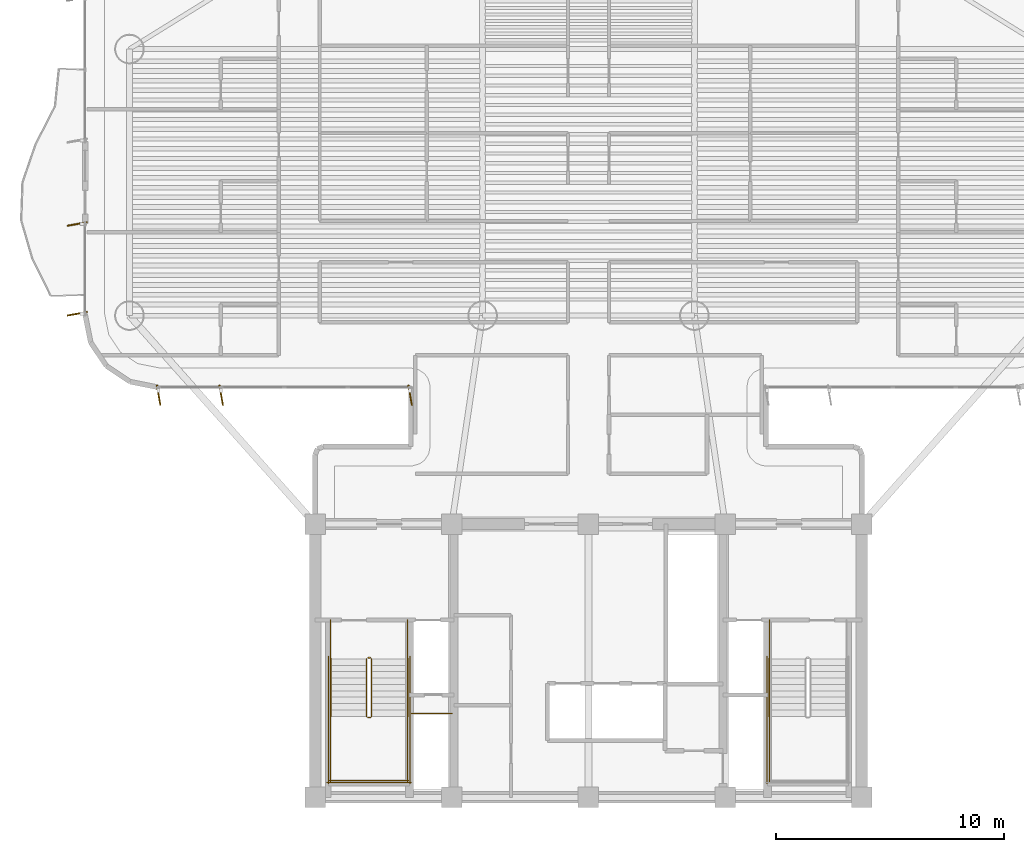
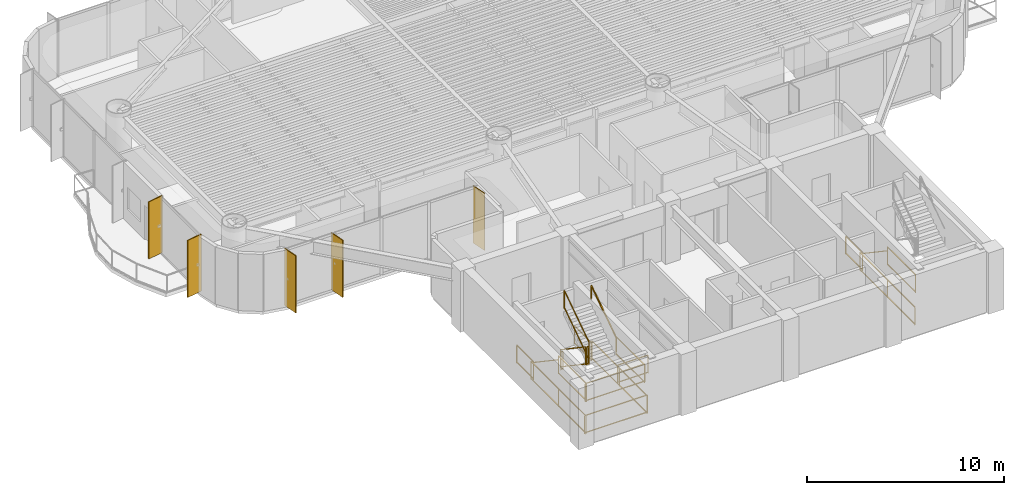
# One storey, part 14 of 17: 19 railings, 5 shading devices.
"""IFC4 building model written with IfcOpenShell, lengths in metres."""

from ifc_helpers import new_model, si_unit, direction, frame, origin, origin_2d, place, context, subcontext, project, spatial, rectangle, extrude, source, transform, mapped, material, layer, layer_set, material_profile, profile_set, type_object, element, save


model = new_model("IFC4")

# Units and contexts
model_context = context("Model", 3, precision=1e-05, world=origin(), true_north=direction((0.0, 1.0)))
body_context = subcontext(model_context, "Body", "Model", "MODEL_VIEW")
ifc_project = project(units=[si_unit("LENGTHUNIT", "METRE"), si_unit("AREAUNIT", "SQUARE_METRE"), si_unit("VOLUMEUNIT", "CUBIC_METRE"), si_unit("PLANEANGLEUNIT", "RADIAN"), si_unit("MASSUNIT", "GRAM", prefix="KILO")], contexts=[model_context])

# Site, building, storey
site_placement = place(None, origin())
site = spatial("IfcSite", under=ifc_project, at=site_placement, CompositionType="ELEMENT")
building_placement = place(site_placement, origin())
building = spatial("IfcBuilding", under=site, at=building_placement, Name="Brelvock Crest Care Tower", CompositionType="ELEMENT")
storey_placement = place(building_placement, frame((0.0, 0.0, 135.179931640625)))
storey = spatial("IfcBuildingStorey", under=building, at=storey_placement, Name="L34", CompositionType="ELEMENT", Elevation=135.179931640625)

# Railings
ifc_material_1 = material(Name="Steel Grade 350", Category="steel")
ifc_layer_1 = layer(ifc_material_1, 0.050048828125, Name="RL-STG1")
ifc_layer_set_1 = layer_set([ifc_layer_1], Name="Steel Grade 350")
railing_type_1 = type_object("IfcRailingType", Name="RL-STG1", PredefinedType="GUARDRAIL", material=ifc_layer_set_1)
railing_1_placement = place(storey_placement, frame((26.260009765625, 12.080078125, 0.18896484375)))
element("IfcRailing", 1, at=railing_1_placement, inside=storey, type_object=railing_type_1, Name="L34 ST-1 stair guard 1", PredefinedType="GUARDRAIL", context=body_context, shape_type="SweptSolid", body=[
    extrude(rectangle(XDim=0.048095703125, YDim=0.048095703125, at=origin_2d()), frame((0.0, -0.001708984375, 1.116943359375), z_axis=(0.0, -0.82882447046, 0.559508710537), x_axis=(1.0, 0.0, 0.0)), (0.0, 0.0, 1.0), 3.036376953125),
    extrude(rectangle(XDim=0.048095703125, YDim=0.048095703125, at=origin_2d()), frame((0.0, -0.001708984375, 0.05615234375), z_axis=(0.0, -0.82882447046, 0.559508710537), x_axis=(1.0, 0.0, 0.0)), (0.0, 0.0, 1.0), 3.036376953125),
    extrude(rectangle(XDim=0.0419921875, YDim=0.0419921875, at=origin_2d()), origin(), (0.0, 0.0, 1.0), 1.08984375),
    extrude(rectangle(XDim=0.0419921875, YDim=0.0419921875, at=origin_2d()), frame((0.0, -2.52001953125, 1.701171875)), (0.0, 0.0, 1.0), 1.08984375),
])
railing_2_placement = place(storey_placement, frame((26.31005859375, 9.510009765625, 1.89013671875)))
element("IfcRailing", 2, at=railing_2_placement, inside=storey, type_object=railing_type_1, Name="L34 ST-1 stair guard 2", PredefinedType="GUARDRAIL", context=body_context, shape_type="SweptSolid", body=[
    extrude(rectangle(XDim=0.048095703125, YDim=0.048095703125, at=origin_2d()), frame((0.001953125, 0.0, 1.11572265625), z_axis=(1.0, 0.0, 0.0), x_axis=(0.0, 1.0, 0.0)), (0.0, 0.0, 1.0), 0.115966796875),
    extrude(rectangle(XDim=0.048095703125, YDim=0.048095703125, at=origin_2d()), frame((0.001953125, 0.0, 0.054931640625), z_axis=(1.0, 0.0, 0.0), x_axis=(0.0, 1.0, 0.0)), (0.0, 0.0, 1.0), 0.115966796875),
    extrude(rectangle(XDim=0.0419921875, YDim=0.0419921875, at=origin_2d()), origin(), (0.0, 0.0, 1.0), 1.08984375),
    extrude(rectangle(XDim=0.0419921875, YDim=0.0419921875, at=origin_2d()), frame((0.119873046875, 0.0, 0.0)), (0.0, 0.0, 1.0), 1.08984375),
])
for number, where, name in (
    (3, (24.679931640625, 9.56005859375, 1.89013671875), "L34 ST-1 stair guard 3"),
    (4, (28.06005859375, 9.56005859375, 1.89013671875), "L34 ST-1 stair guard 4"),
):
    element("IfcRailing", number, at=place(storey_placement, frame(where)), inside=storey, type_object=railing_type_1, Name=name, PredefinedType="GUARDRAIL", context=body_context, shape_type="SweptSolid", body=[
        extrude(rectangle(XDim=0.048095703125, YDim=0.048095703125, at=origin_2d()), frame((0.0, -0.001953125, 1.11572265625), z_axis=(0.0, -1.0, 0.0), x_axis=(1.0, 0.0, 0.0)), (0.0, 0.0, 1.0), 2.856201171875),
        extrude(rectangle(XDim=0.048095703125, YDim=0.048095703125, at=origin_2d()), frame((0.0, -0.001953125, 0.054931640625), z_axis=(0.0, -1.0, 0.0), x_axis=(1.0, 0.0, 0.0)), (0.0, 0.0, 1.0), 2.856201171875),
        extrude(rectangle(XDim=0.0419921875, YDim=0.0419921875, at=origin_2d()), origin(), (0.0, 0.0, 1.0), 1.08984375),
        extrude(rectangle(XDim=0.0419921875, YDim=0.0419921875, at=origin_2d()), frame((0.0, -2.860107421875, 0.0)), (0.0, 0.0, 1.0), 1.08984375),
    ])
railing_3_placement = place(storey_placement, frame((24.6298828125, 6.75, 1.89013671875)))
element("IfcRailing", 5, at=railing_3_placement, inside=storey, type_object=railing_type_1, Name="L34 ST-1 stair guard 5", PredefinedType="GUARDRAIL", context=body_context, shape_type="SweptSolid", body=[
    extrude(rectangle(XDim=0.048095703125, YDim=0.048095703125, at=origin_2d()), frame((0.001953125, 0.0, 1.11572265625), z_axis=(1.0, 0.0, 0.0), x_axis=(0.0, 1.0, 0.0)), (0.0, 0.0, 1.0), 3.476318359375),
    extrude(rectangle(XDim=0.048095703125, YDim=0.048095703125, at=origin_2d()), frame((0.001953125, 0.0, 0.054931640625), z_axis=(1.0, 0.0, 0.0), x_axis=(0.0, 1.0, 0.0)), (0.0, 0.0, 1.0), 3.476318359375),
    extrude(rectangle(XDim=0.0419921875, YDim=0.0419921875, at=origin_2d()), origin(), (0.0, 0.0, 1.0), 1.08984375),
    extrude(rectangle(XDim=0.0419921875, YDim=0.0419921875, at=origin_2d()), frame((3.480224609375, 0.0, 0.0)), (0.0, 0.0, 1.0), 1.08984375),
])
railing_4_placement = place(storey_placement, frame((26.47998046875, 9.56005859375, 2.0791015625)))
element("IfcRailing", 6, at=railing_4_placement, inside=storey, type_object=railing_type_1, Name="L34 ST-1 stair guard 6", PredefinedType="GUARDRAIL", context=body_context, shape_type="SweptSolid", body=[
    extrude(rectangle(XDim=0.048095703125, YDim=0.048095703125, at=origin_2d()), frame((0.0, 0.001708984375, 1.116943359375), z_axis=(0.0, 0.828861706735, 0.559453546873), x_axis=(-1.0, 0.0, 0.0)), (0.0, 0.0, 1.0), 3.036376953125),
    extrude(rectangle(XDim=0.048095703125, YDim=0.048095703125, at=origin_2d()), frame((0.0, 0.001708984375, 0.05615234375), z_axis=(0.0, 0.828861706735, 0.559453546873), x_axis=(-1.0, 0.0, 0.0)), (0.0, 0.0, 1.0), 3.036376953125),
    extrude(rectangle(XDim=0.0419921875, YDim=0.0419921875, at=origin_2d()), origin(), (0.0, 0.0, 1.0), 1.08984375),
    extrude(rectangle(XDim=0.0419921875, YDim=0.0419921875, at=origin_2d()), frame((0.0, 2.52001953125, 1.700927734375)), (0.0, 0.0, 1.0), 1.08984375),
])
railing_5_placement = place(storey_placement, frame((26.31005859375, 12.1298828125, 0.0)))
element("IfcRailing", 7, at=railing_5_placement, inside=storey, type_object=railing_type_1, Name="L34 ST-1 stair guard 7", PredefinedType="GUARDRAIL", context=body_context, shape_type="SweptSolid", body=[
    extrude(rectangle(XDim=0.048095703125, YDim=0.048095703125, at=origin_2d()), frame((0.001953125, 0.0, 1.11572265625), z_axis=(1.0, 0.0, 0.0), x_axis=(0.0, 1.0, 0.0)), (0.0, 0.0, 1.0), 0.115966796875),
    extrude(rectangle(XDim=0.048095703125, YDim=0.048095703125, at=origin_2d()), frame((0.001953125, 0.0, 0.054931640625), z_axis=(1.0, 0.0, 0.0), x_axis=(0.0, 1.0, 0.0)), (0.0, 0.0, 1.0), 0.115966796875),
    extrude(rectangle(XDim=0.0419921875, YDim=0.0419921875, at=origin_2d()), origin(), (0.0, 0.0, 1.0), 1.08984375),
    extrude(rectangle(XDim=0.0419921875, YDim=0.0419921875, at=origin_2d()), frame((0.119873046875, 0.0, 0.0)), (0.0, 0.0, 1.0), 1.08984375),
])
for number, where, name in (
    (8, (24.679931640625, 13.780029296875, 0.0), "L34 ST-1 stair guard 8"),
    (9, (28.06005859375, 13.780029296875, 0.0), "L34 ST-1 stair guard 9"),
):
    element("IfcRailing", number, at=place(storey_placement, frame(where)), inside=storey, type_object=railing_type_1, Name=name, PredefinedType="GUARDRAIL", context=body_context, shape_type="SweptSolid", body=[
        extrude(rectangle(XDim=0.048095703125, YDim=0.048095703125, at=origin_2d()), frame((0.0, -0.001953125, 1.11572265625), z_axis=(0.0, -1.0, 0.0), x_axis=(1.0, 0.0, 0.0)), (0.0, 0.0, 1.0), 1.696044921875),
        extrude(rectangle(XDim=0.048095703125, YDim=0.048095703125, at=origin_2d()), frame((0.0, -0.001953125, 0.054931640625), z_axis=(0.0, -1.0, 0.0), x_axis=(1.0, 0.0, 0.0)), (0.0, 0.0, 1.0), 1.696044921875),
        extrude(rectangle(XDim=0.0419921875, YDim=0.0419921875, at=origin_2d()), origin(), (0.0, 0.0, 1.0), 1.08984375),
        extrude(rectangle(XDim=0.0419921875, YDim=0.0419921875, at=origin_2d()), frame((0.0, -1.699951171875, 0.0)), (0.0, 0.0, 1.0), 1.08984375),
    ])
for number, where, name in (
    (10, (24.580078125, 12.179931640625, 0.0), "L34 ST-1 stair guard 10"),
    (11, (28.159912109375, 12.179931640625, 0.0), "L34 ST-1 stair guard 11"),
):
    element("IfcRailing", number, at=place(storey_placement, frame(where)), inside=storey, type_object=railing_type_1, Name=name, PredefinedType="GUARDRAIL", context=body_context, shape_type="SweptSolid", body=[
        extrude(rectangle(XDim=0.048095703125, YDim=0.048095703125, at=origin_2d()), frame((0.0, -0.001953125, 1.11572265625), z_axis=(0.0, -1.0, 0.0), x_axis=(1.0, 0.0, 0.0)), (0.0, 0.0, 1.0), 5.575927734375),
        extrude(rectangle(XDim=0.048095703125, YDim=0.048095703125, at=origin_2d()), frame((0.0, -0.001953125, 0.054931640625), z_axis=(0.0, -1.0, 0.0), x_axis=(1.0, 0.0, 0.0)), (0.0, 0.0, 1.0), 5.575927734375),
        extrude(rectangle(XDim=0.0419921875, YDim=0.0419921875, at=origin_2d()), origin(), (0.0, 0.0, 1.0), 1.08984375),
        extrude(rectangle(XDim=0.0419921875, YDim=0.0419921875, at=origin_2d()), frame((0.0, -2.7900390625, 0.0)), (0.0, 0.0, 1.0), 1.08984375),
        extrude(rectangle(XDim=0.0419921875, YDim=0.0419921875, at=origin_2d()), frame((0.0, -5.579833984375, 0.0)), (0.0, 0.0, 1.0), 1.08984375),
    ])
railing_6_placement = place(storey_placement, frame((24.530029296875, 6.64990234375, 0.0)))
element("IfcRailing", 12, at=railing_6_placement, inside=storey, type_object=railing_type_1, Name="L34 ST-1 stair guard 12", PredefinedType="GUARDRAIL", context=body_context, shape_type="SweptSolid", body=[
    extrude(rectangle(XDim=0.048095703125, YDim=0.048095703125, at=origin_2d()), frame((0.001953125, 0.0, 1.11572265625), z_axis=(1.0, 0.0, 0.0), x_axis=(0.0, 1.0, 0.0)), (0.0, 0.0, 1.0), 3.676025390625),
    extrude(rectangle(XDim=0.048095703125, YDim=0.048095703125, at=origin_2d()), frame((0.001953125, 0.0, 0.054931640625), z_axis=(1.0, 0.0, 0.0), x_axis=(0.0, 1.0, 0.0)), (0.0, 0.0, 1.0), 3.676025390625),
    extrude(rectangle(XDim=0.0419921875, YDim=0.0419921875, at=origin_2d()), origin(), (0.0, 0.0, 1.0), 1.08984375),
    extrude(rectangle(XDim=0.0419921875, YDim=0.0419921875, at=origin_2d()), frame((3.679931640625, 0.0, 0.0)), (0.0, 0.0, 1.0), 1.08984375),
])
railing_7_placement = place(storey_placement, frame((43.93994140625, 9.56005859375, 1.89013671875)))
element("IfcRailing", 13, at=railing_7_placement, inside=storey, type_object=railing_type_1, Name="L34 ST-2 stair guard 3", PredefinedType="GUARDRAIL", context=body_context, shape_type="SweptSolid", body=[
    extrude(rectangle(XDim=0.048095703125, YDim=0.048095703125, at=origin_2d()), frame((0.0, -0.001953125, 1.11572265625), z_axis=(0.0, -1.0, 0.0), x_axis=(1.0, 0.0, 0.0)), (0.0, 0.0, 1.0), 2.856201171875),
    extrude(rectangle(XDim=0.048095703125, YDim=0.048095703125, at=origin_2d()), frame((0.0, -0.001953125, 0.054931640625), z_axis=(0.0, -1.0, 0.0), x_axis=(1.0, 0.0, 0.0)), (0.0, 0.0, 1.0), 2.856201171875),
    extrude(rectangle(XDim=0.0419921875, YDim=0.0419921875, at=origin_2d()), origin(), (0.0, 0.0, 1.0), 1.08984375),
    extrude(rectangle(XDim=0.0419921875, YDim=0.0419921875, at=origin_2d()), frame((0.0, -2.860107421875, 0.0)), (0.0, 0.0, 1.0), 1.08984375),
])
railing_8_placement = place(storey_placement, frame((43.93994140625, 13.780029296875, 0.0)))
element("IfcRailing", 14, at=railing_8_placement, inside=storey, type_object=railing_type_1, Name="L34 ST-2 stair guard 8", PredefinedType="GUARDRAIL", context=body_context, shape_type="SweptSolid", body=[
    extrude(rectangle(XDim=0.048095703125, YDim=0.048095703125, at=origin_2d()), frame((0.0, -0.001953125, 1.11572265625), z_axis=(0.0, -1.0, 0.0), x_axis=(1.0, 0.0, 0.0)), (0.0, 0.0, 1.0), 1.696044921875),
    extrude(rectangle(XDim=0.048095703125, YDim=0.048095703125, at=origin_2d()), frame((0.0, -0.001953125, 0.054931640625), z_axis=(0.0, -1.0, 0.0), x_axis=(1.0, 0.0, 0.0)), (0.0, 0.0, 1.0), 1.696044921875),
    extrude(rectangle(XDim=0.0419921875, YDim=0.0419921875, at=origin_2d()), origin(), (0.0, 0.0, 1.0), 1.08984375),
    extrude(rectangle(XDim=0.0419921875, YDim=0.0419921875, at=origin_2d()), frame((0.0, -1.699951171875, 0.0)), (0.0, 0.0, 1.0), 1.08984375),
])
railing_9_placement = place(storey_placement, frame((43.840087890625, 12.179931640625, 0.0)))
element("IfcRailing", 15, at=railing_9_placement, inside=storey, type_object=railing_type_1, Name="L34 ST-2 stair guard 10", PredefinedType="GUARDRAIL", context=body_context, shape_type="SweptSolid", body=[
    extrude(rectangle(XDim=0.048095703125, YDim=0.048095703125, at=origin_2d()), frame((0.0, -0.001953125, 1.11572265625), z_axis=(0.0, -1.0, 0.0), x_axis=(1.0, 0.0, 0.0)), (0.0, 0.0, 1.0), 5.575927734375),
    extrude(rectangle(XDim=0.048095703125, YDim=0.048095703125, at=origin_2d()), frame((0.0, -0.001953125, 0.054931640625), z_axis=(0.0, -1.0, 0.0), x_axis=(1.0, 0.0, 0.0)), (0.0, 0.0, 1.0), 5.575927734375),
    extrude(rectangle(XDim=0.0419921875, YDim=0.0419921875, at=origin_2d()), origin(), (0.0, 0.0, 1.0), 1.08984375),
    extrude(rectangle(XDim=0.0419921875, YDim=0.0419921875, at=origin_2d()), frame((0.0, -2.7900390625, 0.0)), (0.0, 0.0, 1.0), 1.08984375),
    extrude(rectangle(XDim=0.0419921875, YDim=0.0419921875, at=origin_2d()), frame((0.0, -5.579833984375, 0.0)), (0.0, 0.0, 1.0), 1.08984375),
])
railing_10_placement = place(storey_placement, frame((28.219970703125, 9.679931640625, 0.0)))
element("IfcRailing", 16, at=railing_10_placement, inside=storey, type_object=railing_type_1, Name="L34 Fire Riser Threshold Guard", PredefinedType="GUARDRAIL", context=body_context, shape_type="SweptSolid", body=[
    extrude(rectangle(XDim=0.048095703125, YDim=0.048095703125, at=origin_2d()), frame((0.001953125, 0.0, 1.11572265625), z_axis=(1.0, 0.0, 0.0), x_axis=(0.0, 1.0, 0.0)), (0.0, 0.0, 1.0), 1.776123046875),
    extrude(rectangle(XDim=0.048095703125, YDim=0.048095703125, at=origin_2d()), frame((0.001953125, 0.0, 0.054931640625), z_axis=(1.0, 0.0, 0.0), x_axis=(0.0, 1.0, 0.0)), (0.0, 0.0, 1.0), 1.776123046875),
    extrude(rectangle(XDim=0.0419921875, YDim=0.0419921875, at=origin_2d()), origin(), (0.0, 0.0, 1.0), 1.08984375),
    extrude(rectangle(XDim=0.0419921875, YDim=0.0419921875, at=origin_2d()), frame((1.780029296875, 0.0, 0.0)), (0.0, 0.0, 1.0), 1.08984375),
])
ifc_layer_2 = layer(ifc_material_1, 0.048095703125, Name="RL-STH1")
ifc_layer_set_2 = layer_set([ifc_layer_2], Name="Steel Grade 350")
railing_type_2 = type_object("IfcRailingType", Name="RL-STH1", PredefinedType="HANDRAIL", material=ifc_layer_set_2)
railing_11_placement = place(storey_placement, frame((24.679931640625, 12.080078125, 0.18896484375)))
element("IfcRailing", 17, at=railing_11_placement, inside=storey, type_object=railing_type_2, Name="L34 ST-1 stair handrail 1", PredefinedType="HANDRAIL", context=body_context, shape_type="SweptSolid", body=[
    extrude(rectangle(XDim=0.048095703125, YDim=0.048095703125, at=origin_2d()), frame((0.0, -0.001708984375, 0.876953125), z_axis=(0.0, -0.82882447046, 0.559508710537), x_axis=(1.0, 0.0, 0.0)), (0.0, 0.0, 1.0), 3.036376953125),
    extrude(rectangle(XDim=0.0419921875, YDim=0.0419921875, at=origin_2d()), origin(), (0.0, 0.0, 1.0), 0.849853515625),
    extrude(rectangle(XDim=0.0419921875, YDim=0.0419921875, at=origin_2d()), frame((0.0, -2.52001953125, 1.701171875)), (0.0, 0.0, 1.0), 0.849853515625),
])
railing_12_placement = place(storey_placement, frame((28.06005859375, 9.56005859375, 2.0791015625)))
element("IfcRailing", 18, at=railing_12_placement, inside=storey, type_object=railing_type_2, Name="L34 ST-1 stair handrail 2", PredefinedType="HANDRAIL", context=body_context, shape_type="SweptSolid", body=[
    extrude(rectangle(XDim=0.048095703125, YDim=0.048095703125, at=origin_2d()), frame((0.0, 0.001708984375, 0.876953125), z_axis=(0.0, 0.828861706735, 0.559453546873), x_axis=(-1.0, 0.0, 0.0)), (0.0, 0.0, 1.0), 3.036376953125),
    extrude(rectangle(XDim=0.0419921875, YDim=0.0419921875, at=origin_2d()), origin(), (0.0, 0.0, 1.0), 0.849853515625),
    extrude(rectangle(XDim=0.0419921875, YDim=0.0419921875, at=origin_2d()), frame((0.0, 2.52001953125, 1.700927734375)), (0.0, 0.0, 1.0), 0.849853515625),
])
railing_13_placement = place(storey_placement, frame((43.93994140625, 12.080078125, 0.18896484375)))
element("IfcRailing", 19, at=railing_13_placement, inside=storey, type_object=railing_type_2, Name="L34 ST-2 stair handrail 1", PredefinedType="HANDRAIL", context=body_context, shape_type="SweptSolid", body=[
    extrude(rectangle(XDim=0.048095703125, YDim=0.048095703125, at=origin_2d()), frame((0.0, -0.001708984375, 0.876953125), z_axis=(0.0, -0.82882447046, 0.559508710537), x_axis=(1.0, 0.0, 0.0)), (0.0, 0.0, 1.0), 3.036376953125),
    extrude(rectangle(XDim=0.0419921875, YDim=0.0419921875, at=origin_2d()), origin(), (0.0, 0.0, 1.0), 0.849853515625),
    extrude(rectangle(XDim=0.0419921875, YDim=0.0419921875, at=origin_2d()), frame((0.0, -2.52001953125, 1.701171875)), (0.0, 0.0, 1.0), 0.849853515625),
])

# Shading devices
ifc_material_2 = material(Name="Aluminium 6063-T6", Category="aluminium")
ifc_material_profile = material_profile(ifc_material_2, rectangle(XDim=0.054931640625, YDim=0.89990234375, at=origin_2d()), Name="FIN55x900")
ifc_profile_set = profile_set([ifc_material_profile], Name="Aluminium 6063-T6")
shading_device_type = type_object("IfcShadingDeviceType", Name="SHD-FIN1", PredefinedType="USERDEFINED", material=ifc_profile_set)
shared_shape = source(origin(), body_context, "Body", "SweptSolid", [
    extrude(rectangle(XDim=0.054931640625, YDim=0.89990234375, at=origin_2d()), origin(), (0.0, 0.0, 1.0), 3.530029296875),
])
for number, where, z_axis, x_axis, name in (
    (20, (28.169921875, 23.659912109375, 0.0), (0.0, 0.0, 1.0), (-0.984807753012, -0.173648177667, 0.0), "L34 Vertical Sunshade Fin E12-01"),
    (21, (19.875, 23.659912109375, 0.0), (0.0, 0.0, 1.0), (-0.984807753012, -0.173648177667, 0.0), "L34 Vertical Sunshade Fin E12-04"),
    (22, (17.1298828125, 23.659912109375, 0.0), (0.0, 0.0, 1.0), (-0.984807753012, -0.173648177667, 0.0), "L34 Vertical Sunshade Fin E12-05"),
    (23, (13.56005859375, 27.22998046875, 0.0), (0.0, 0.0, 1.0), (-0.173648177667, 0.984807753012, 0.0), "L34 Vertical Sunshade Fin E17A-01"),
    (24, (13.56005859375, 31.169921875, 0.0), (0.0, 0.0, 1.0), (-0.173648177667, 0.984807753012, 0.0), "L34 Vertical Sunshade Fin E17A-02"),
):
    element("IfcShadingDevice", number, at=place(storey_placement, frame(where, z_axis=z_axis, x_axis=x_axis)), inside=storey, type_object=shading_device_type, Name=name, ObjectType="FIN", PredefinedType="USERDEFINED", context=body_context, shape_type="MappedRepresentation", body=[
        mapped(shared_shape, transform((0.0, 0.0, 0.0), x_axis=(1.0, 0.0, 0.0), y_axis=(0.0, 1.0, 0.0), z_axis=(0.0, 0.0, 1.0), scale=1.0)),
    ])

save(model, "model.ifc")
